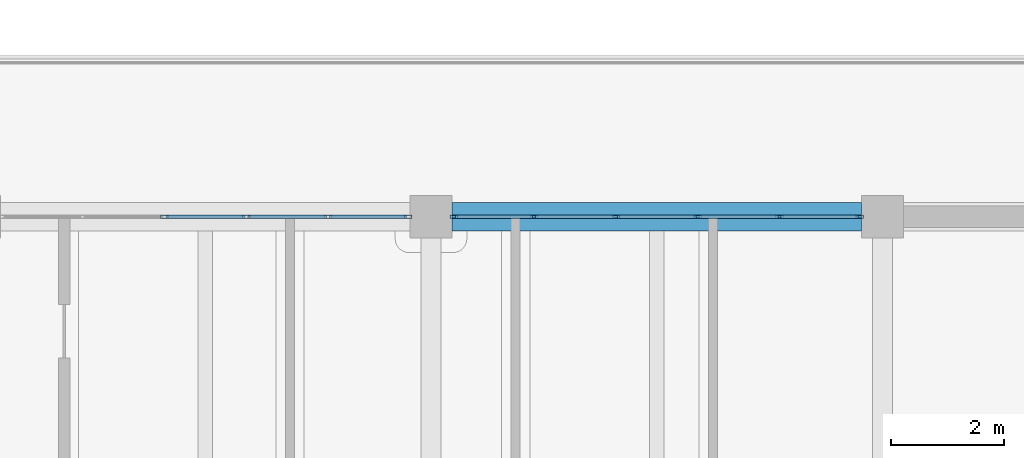
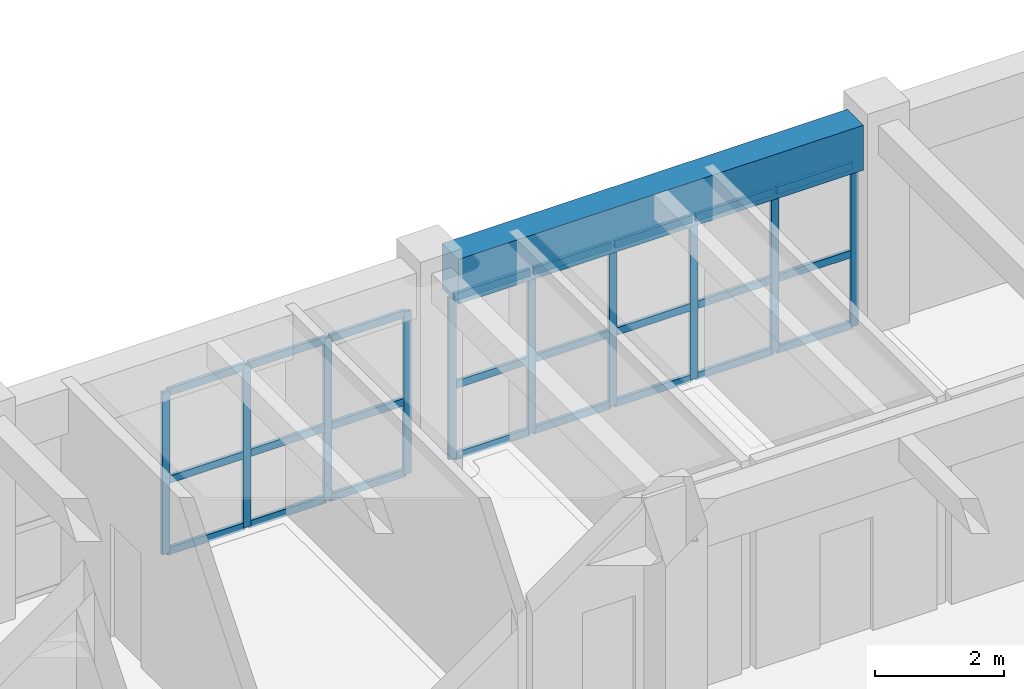
# One storey, part 25 of 63: 34 members, 1 beam, 2 elements without a shape of their own.
"""IFC4 building model written with IfcOpenShell, lengths in metres."""

from ifc_helpers import new_model, si_unit, direction, frame, origin, origin_2d, place, context, subcontext, project, spatial, rectangle, hollow_rectangle, extrude, material, material_profile, profile_set, type_object, element, aggregate, save


model = new_model("IFC4")

# Units and contexts
model_context = context("Model", 3, precision=1e-05, world=origin(), true_north=direction((0.0, 1.0)))
body_context = subcontext(model_context, "Body", "Model", "MODEL_VIEW")
ifc_project = project(units=[si_unit("LENGTHUNIT", "METRE"), si_unit("AREAUNIT", "SQUARE_METRE"), si_unit("VOLUMEUNIT", "CUBIC_METRE"), si_unit("PLANEANGLEUNIT", "RADIAN"), si_unit("MASSUNIT", "GRAM", prefix="KILO")], contexts=[model_context])

# Site, building, storey
site_placement = place(None, origin())
site = spatial("IfcSite", under=ifc_project, at=site_placement, CompositionType="ELEMENT")
building_placement = place(site_placement, origin())
building = spatial("IfcBuilding", under=site, at=building_placement, Name="Zantavel Square City Hall", CompositionType="ELEMENT")
storey_placement = place(building_placement, frame((0.0, 0.0, 14.699951171875)))
storey = spatial("IfcBuildingStorey", under=building, at=storey_placement, Name="L04", CompositionType="ELEMENT", Elevation=14.699951171875)

# Curtain wall, members
ifc_material_1 = material(Name="Anodised aluminium 6063-T6", Category="aluminium")
curtain_wall_type = type_object("IfcCurtainWallType", Name="Curtain Wall TRV1 7250x3070", PredefinedType="USERDEFINED", material=ifc_material_1)
curtain_wall_1_placement = place(storey_placement, origin())
curtain_wall_1 = element("IfcCurtainWall", 1, at=curtain_wall_1_placement, inside=storey, type_object=curtain_wall_type, Name="L04 Glazed Curtain Wall CW-L04-108", ObjectType="GLAZED CURTAIN WALL", PredefinedType="USERDEFINED")
ifc_material_profile_1 = material_profile(ifc_material_1, hollow_rectangle(XDim=0.06005859375, YDim=0.135009765625, WallThickness=0.00390625, at=origin_2d()), Name="ALU 60x135x4")
ifc_profile_set_1 = profile_set([ifc_material_profile_1], Name="Anodised aluminium 6063-T6")
member_type_1 = type_object("IfcMemberType", Name="CW Mullion ALU 60x135x4", PredefinedType="MULLION", material=ifc_profile_set_1)
member_1_placement = place(storey_placement, frame((75.27490234375, 68.39990234375, 0.0), z_axis=(0.0, 0.0, 1.0), x_axis=(0.0, 1.0, 0.0)))
member_1 = element("IfcMember", 2, at=member_1_placement, type_object=member_type_1, Name="CW-108 mullion 3", PredefinedType="MULLION", context=body_context, shape_type="SweptSolid", body=[
    extrude(hollow_rectangle(XDim=0.06005859375, YDim=0.135009765625, WallThickness=0.00390625, at=origin_2d()), origin(), (0.0, 0.0, 1.0), 3.070068359375),
])
member_2_placement = place(storey_placement, frame((76.72509765625, 68.39990234375, 0.0), z_axis=(0.0, 0.0, 1.0), x_axis=(0.0, 1.0, 0.0)))
member_2 = element("IfcMember", 3, at=member_2_placement, type_object=member_type_1, Name="CW-108 mullion 4", PredefinedType="MULLION", context=body_context, shape_type="SweptSolid", body=[
    extrude(hollow_rectangle(XDim=0.06005859375, YDim=0.135009765625, WallThickness=0.00390625, at=origin_2d()), origin(), (0.0, 0.0, 1.0), 3.070068359375),
])
member_3_placement = place(storey_placement, frame((78.175048828125, 68.39990234375, 0.0), z_axis=(0.0, 0.0, 1.0), x_axis=(0.0, 1.0, 0.0)))
member_3 = element("IfcMember", 4, at=member_3_placement, type_object=member_type_1, Name="CW-108 mullion 5", PredefinedType="MULLION", context=body_context, shape_type="SweptSolid", body=[
    extrude(hollow_rectangle(XDim=0.06005859375, YDim=0.135009765625, WallThickness=0.00390625, at=origin_2d()), origin(), (0.0, 0.0, 1.0), 3.070068359375),
])
member_4_placement = place(storey_placement, frame((79.594970703125, 68.39990234375, 0.0), z_axis=(0.0, 0.0, 1.0), x_axis=(0.0, 1.0, 0.0)))
member_4 = element("IfcMember", 5, at=member_4_placement, type_object=member_type_1, Name="CW-108 mullion 6", PredefinedType="MULLION", context=body_context, shape_type="SweptSolid", body=[
    extrude(hollow_rectangle(XDim=0.06005859375, YDim=0.135009765625, WallThickness=0.00390625, at=origin_2d()), origin(), (0.0, 0.0, 1.0), 3.070068359375),
])

curtain_wall_2_placement = place(storey_placement, origin())
curtain_wall_2 = element("IfcCurtainWall", 6, at=curtain_wall_2_placement, inside=storey, type_object=curtain_wall_type, Name="L04 Glazed Curtain Wall CW-L04-109", ObjectType="GLAZED CURTAIN WALL", PredefinedType="USERDEFINED")
member_5_placement = place(storey_placement, frame((80.405029296875, 68.39990234375, 0.0), z_axis=(0.0, 0.0, 1.0), x_axis=(0.0, 1.0, 0.0)))
member_5 = element("IfcMember", 7, at=member_5_placement, type_object=member_type_1, Name="CW-109 mullion 1", PredefinedType="MULLION", context=body_context, shape_type="SweptSolid", body=[
    extrude(hollow_rectangle(XDim=0.06005859375, YDim=0.135009765625, WallThickness=0.00390625, at=origin_2d()), origin(), (0.0, 0.0, 1.0), 3.070068359375),
])
member_6_placement = place(storey_placement, frame((81.824951171875, 68.39990234375, 0.0), z_axis=(0.0, 0.0, 1.0), x_axis=(0.0, 1.0, 0.0)))
member_6 = element("IfcMember", 8, at=member_6_placement, type_object=member_type_1, Name="CW-109 mullion 2", PredefinedType="MULLION", context=body_context, shape_type="SweptSolid", body=[
    extrude(hollow_rectangle(XDim=0.06005859375, YDim=0.135009765625, WallThickness=0.00390625, at=origin_2d()), origin(), (0.0, 0.0, 1.0), 3.070068359375),
])
member_7_placement = place(storey_placement, frame((83.27490234375, 68.39990234375, 0.0), z_axis=(0.0, 0.0, 1.0), x_axis=(0.0, 1.0, 0.0)))
member_7 = element("IfcMember", 9, at=member_7_placement, type_object=member_type_1, Name="CW-109 mullion 3", PredefinedType="MULLION", context=body_context, shape_type="SweptSolid", body=[
    extrude(hollow_rectangle(XDim=0.06005859375, YDim=0.135009765625, WallThickness=0.00390625, at=origin_2d()), origin(), (0.0, 0.0, 1.0), 3.070068359375),
])
member_8_placement = place(storey_placement, frame((84.72509765625, 68.39990234375, 0.0), z_axis=(0.0, 0.0, 1.0), x_axis=(0.0, 1.0, 0.0)))
member_8 = element("IfcMember", 10, at=member_8_placement, type_object=member_type_1, Name="CW-109 mullion 4", PredefinedType="MULLION", context=body_context, shape_type="SweptSolid", body=[
    extrude(hollow_rectangle(XDim=0.06005859375, YDim=0.135009765625, WallThickness=0.00390625, at=origin_2d()), origin(), (0.0, 0.0, 1.0), 3.070068359375),
])
member_9_placement = place(storey_placement, frame((86.175048828125, 68.39990234375, 0.0), z_axis=(0.0, 0.0, 1.0), x_axis=(0.0, 1.0, 0.0)))
member_9 = element("IfcMember", 11, at=member_9_placement, type_object=member_type_1, Name="CW-109 mullion 5", PredefinedType="MULLION", context=body_context, shape_type="SweptSolid", body=[
    extrude(hollow_rectangle(XDim=0.06005859375, YDim=0.135009765625, WallThickness=0.00390625, at=origin_2d()), origin(), (0.0, 0.0, 1.0), 3.070068359375),
])
member_10_placement = place(storey_placement, frame((87.594970703125, 68.39990234375, 0.0), z_axis=(0.0, 0.0, 1.0), x_axis=(0.0, 1.0, 0.0)))
member_10 = element("IfcMember", 12, at=member_10_placement, type_object=member_type_1, Name="CW-109 mullion 6", PredefinedType="MULLION", context=body_context, shape_type="SweptSolid", body=[
    extrude(hollow_rectangle(XDim=0.06005859375, YDim=0.135009765625, WallThickness=0.00390625, at=origin_2d()), origin(), (0.0, 0.0, 1.0), 3.070068359375),
])

# Member
ifc_material_profile_2 = material_profile(ifc_material_1, hollow_rectangle(XDim=0.06005859375, YDim=0.139892578125, WallThickness=0.00390625, at=origin_2d()), Name="ALU 60x140x4")
ifc_profile_set_2 = profile_set([ifc_material_profile_2], Name="Anodised aluminium 6063-T6")
member_type_2 = type_object("IfcMemberType", Name="CW Transom ALU 60x140x4", PredefinedType="USERDEFINED", material=ifc_profile_set_2)
member_11_placement = place(storey_placement, frame((75.304931640625, 68.39990234375, 0.030029296875), z_axis=(1.0, 0.0, 0.0), x_axis=(0.0, 1.0, 0.0)))
member_11 = element("IfcMember", 13, at=member_11_placement, type_object=member_type_2, Name="CW-108 transom 3.1", ObjectType="TRANSOM", PredefinedType="USERDEFINED", context=body_context, shape_type="SweptSolid", body=[
    extrude(hollow_rectangle(XDim=0.06005859375, YDim=0.139892578125, WallThickness=0.00390625, at=origin_2d()), origin(), (0.0, 0.0, 1.0), 1.39013671875),
])

member_12_placement = place(storey_placement, frame((75.304931640625, 68.39990234375, 1.381103515625), z_axis=(1.0, 0.0, 0.0), x_axis=(0.0, 1.0, 0.0)))
member_12 = element("IfcMember", 14, at=member_12_placement, type_object=member_type_2, Name="CW-108 transom 3.2", ObjectType="TRANSOM", PredefinedType="USERDEFINED", context=body_context, shape_type="SweptSolid", body=[
    extrude(hollow_rectangle(XDim=0.06005859375, YDim=0.139892578125, WallThickness=0.00390625, at=origin_2d()), origin(), (0.0, 0.0, 1.0), 1.39013671875),
])

member_13_placement = place(storey_placement, frame((75.304931640625, 68.39990234375, 3.0400390625), z_axis=(1.0, 0.0, 0.0), x_axis=(0.0, 1.0, 0.0)))
member_13 = element("IfcMember", 15, at=member_13_placement, type_object=member_type_2, Name="CW-108 transom 3.3", ObjectType="TRANSOM", PredefinedType="USERDEFINED", context=body_context, shape_type="SweptSolid", body=[
    extrude(hollow_rectangle(XDim=0.06005859375, YDim=0.139892578125, WallThickness=0.00390625, at=origin_2d()), origin(), (0.0, 0.0, 1.0), 1.39013671875),
])

member_14_placement = place(storey_placement, frame((76.7548828125, 68.39990234375, 0.030029296875), z_axis=(1.0, 0.0, 0.0), x_axis=(0.0, 1.0, 0.0)))
member_14 = element("IfcMember", 16, at=member_14_placement, type_object=member_type_2, Name="CW-108 transom 4.1", ObjectType="TRANSOM", PredefinedType="USERDEFINED", context=body_context, shape_type="SweptSolid", body=[
    extrude(hollow_rectangle(XDim=0.06005859375, YDim=0.139892578125, WallThickness=0.00390625, at=origin_2d()), origin(), (0.0, 0.0, 1.0), 1.39013671875),
])

member_15_placement = place(storey_placement, frame((76.7548828125, 68.39990234375, 1.381103515625), z_axis=(1.0, 0.0, 0.0), x_axis=(0.0, 1.0, 0.0)))
member_15 = element("IfcMember", 17, at=member_15_placement, type_object=member_type_2, Name="CW-108 transom 4.2", ObjectType="TRANSOM", PredefinedType="USERDEFINED", context=body_context, shape_type="SweptSolid", body=[
    extrude(hollow_rectangle(XDim=0.06005859375, YDim=0.139892578125, WallThickness=0.00390625, at=origin_2d()), origin(), (0.0, 0.0, 1.0), 1.39013671875),
])

member_16_placement = place(storey_placement, frame((76.7548828125, 68.39990234375, 3.0400390625), z_axis=(1.0, 0.0, 0.0), x_axis=(0.0, 1.0, 0.0)))
member_16 = element("IfcMember", 18, at=member_16_placement, type_object=member_type_2, Name="CW-108 transom 4.3", ObjectType="TRANSOM", PredefinedType="USERDEFINED", context=body_context, shape_type="SweptSolid", body=[
    extrude(hollow_rectangle(XDim=0.06005859375, YDim=0.139892578125, WallThickness=0.00390625, at=origin_2d()), origin(), (0.0, 0.0, 1.0), 1.39013671875),
])

member_17_placement = place(storey_placement, frame((78.205078125, 68.39990234375, 0.030029296875), z_axis=(1.0, 0.0, 0.0), x_axis=(0.0, 1.0, 0.0)))
member_17 = element("IfcMember", 19, at=member_17_placement, type_object=member_type_2, Name="CW-108 transom 5.1", ObjectType="TRANSOM", PredefinedType="USERDEFINED", context=body_context, shape_type="SweptSolid", body=[
    extrude(hollow_rectangle(XDim=0.06005859375, YDim=0.139892578125, WallThickness=0.00390625, at=origin_2d()), origin(), (0.0, 0.0, 1.0), 1.35986328125),
])

member_18_placement = place(storey_placement, frame((78.205078125, 68.39990234375, 1.381103515625), z_axis=(1.0, 0.0, 0.0), x_axis=(0.0, 1.0, 0.0)))
member_18 = element("IfcMember", 20, at=member_18_placement, type_object=member_type_2, Name="CW-108 transom 5.2", ObjectType="TRANSOM", PredefinedType="USERDEFINED", context=body_context, shape_type="SweptSolid", body=[
    extrude(hollow_rectangle(XDim=0.06005859375, YDim=0.139892578125, WallThickness=0.00390625, at=origin_2d()), origin(), (0.0, 0.0, 1.0), 1.35986328125),
])

member_19_placement = place(storey_placement, frame((78.205078125, 68.39990234375, 3.0400390625), z_axis=(1.0, 0.0, 0.0), x_axis=(0.0, 1.0, 0.0)))
member_19 = element("IfcMember", 21, at=member_19_placement, type_object=member_type_2, Name="CW-108 transom 5.3", ObjectType="TRANSOM", PredefinedType="USERDEFINED", context=body_context, shape_type="SweptSolid", body=[
    extrude(hollow_rectangle(XDim=0.06005859375, YDim=0.139892578125, WallThickness=0.00390625, at=origin_2d()), origin(), (0.0, 0.0, 1.0), 1.35986328125),
])

aggregate(curtain_wall_1, [member_1, member_2, member_3, member_4, member_11, member_12, member_13, member_14, member_15, member_16, member_17, member_18, member_19])

member_20_placement = place(storey_placement, frame((80.43505859375, 68.39990234375, 0.030029296875), z_axis=(1.0, 0.0, 0.0), x_axis=(0.0, 1.0, 0.0)))
member_20 = element("IfcMember", 22, at=member_20_placement, type_object=member_type_2, Name="CW-109 transom 1.1", ObjectType="TRANSOM", PredefinedType="USERDEFINED", context=body_context, shape_type="SweptSolid", body=[
    extrude(hollow_rectangle(XDim=0.06005859375, YDim=0.139892578125, WallThickness=0.00390625, at=origin_2d()), origin(), (0.0, 0.0, 1.0), 1.35986328125),
])

member_21_placement = place(storey_placement, frame((80.43505859375, 68.39990234375, 1.381103515625), z_axis=(1.0, 0.0, 0.0), x_axis=(0.0, 1.0, 0.0)))
member_21 = element("IfcMember", 23, at=member_21_placement, type_object=member_type_2, Name="CW-109 transom 1.2", ObjectType="TRANSOM", PredefinedType="USERDEFINED", context=body_context, shape_type="SweptSolid", body=[
    extrude(hollow_rectangle(XDim=0.06005859375, YDim=0.139892578125, WallThickness=0.00390625, at=origin_2d()), origin(), (0.0, 0.0, 1.0), 1.35986328125),
])

member_22_placement = place(storey_placement, frame((80.43505859375, 68.39990234375, 3.0400390625), z_axis=(1.0, 0.0, 0.0), x_axis=(0.0, 1.0, 0.0)))
member_22 = element("IfcMember", 24, at=member_22_placement, type_object=member_type_2, Name="CW-109 transom 1.3", ObjectType="TRANSOM", PredefinedType="USERDEFINED", context=body_context, shape_type="SweptSolid", body=[
    extrude(hollow_rectangle(XDim=0.06005859375, YDim=0.139892578125, WallThickness=0.00390625, at=origin_2d()), origin(), (0.0, 0.0, 1.0), 1.35986328125),
])

member_23_placement = place(storey_placement, frame((81.85498046875, 68.39990234375, 0.030029296875), z_axis=(1.0, 0.0, 0.0), x_axis=(0.0, 1.0, 0.0)))
member_23 = element("IfcMember", 25, at=member_23_placement, type_object=member_type_2, Name="CW-109 transom 2.1", ObjectType="TRANSOM", PredefinedType="USERDEFINED", context=body_context, shape_type="SweptSolid", body=[
    extrude(hollow_rectangle(XDim=0.06005859375, YDim=0.139892578125, WallThickness=0.00390625, at=origin_2d()), origin(), (0.0, 0.0, 1.0), 1.39013671875),
])

member_24_placement = place(storey_placement, frame((81.85498046875, 68.39990234375, 1.381103515625), z_axis=(1.0, 0.0, 0.0), x_axis=(0.0, 1.0, 0.0)))
member_24 = element("IfcMember", 26, at=member_24_placement, type_object=member_type_2, Name="CW-109 transom 2.2", ObjectType="TRANSOM", PredefinedType="USERDEFINED", context=body_context, shape_type="SweptSolid", body=[
    extrude(hollow_rectangle(XDim=0.06005859375, YDim=0.139892578125, WallThickness=0.00390625, at=origin_2d()), origin(), (0.0, 0.0, 1.0), 1.39013671875),
])

member_25_placement = place(storey_placement, frame((81.85498046875, 68.39990234375, 3.0400390625), z_axis=(1.0, 0.0, 0.0), x_axis=(0.0, 1.0, 0.0)))
member_25 = element("IfcMember", 27, at=member_25_placement, type_object=member_type_2, Name="CW-109 transom 2.3", ObjectType="TRANSOM", PredefinedType="USERDEFINED", context=body_context, shape_type="SweptSolid", body=[
    extrude(hollow_rectangle(XDim=0.06005859375, YDim=0.139892578125, WallThickness=0.00390625, at=origin_2d()), origin(), (0.0, 0.0, 1.0), 1.39013671875),
])

member_26_placement = place(storey_placement, frame((83.304931640625, 68.39990234375, 0.030029296875), z_axis=(1.0, 0.0, 0.0), x_axis=(0.0, 1.0, 0.0)))
member_26 = element("IfcMember", 28, at=member_26_placement, type_object=member_type_2, Name="CW-109 transom 3.1", ObjectType="TRANSOM", PredefinedType="USERDEFINED", context=body_context, shape_type="SweptSolid", body=[
    extrude(hollow_rectangle(XDim=0.06005859375, YDim=0.139892578125, WallThickness=0.00390625, at=origin_2d()), origin(), (0.0, 0.0, 1.0), 1.39013671875),
])

member_27_placement = place(storey_placement, frame((83.304931640625, 68.39990234375, 1.381103515625), z_axis=(1.0, 0.0, 0.0), x_axis=(0.0, 1.0, 0.0)))
member_27 = element("IfcMember", 29, at=member_27_placement, type_object=member_type_2, Name="CW-109 transom 3.2", ObjectType="TRANSOM", PredefinedType="USERDEFINED", context=body_context, shape_type="SweptSolid", body=[
    extrude(hollow_rectangle(XDim=0.06005859375, YDim=0.139892578125, WallThickness=0.00390625, at=origin_2d()), origin(), (0.0, 0.0, 1.0), 1.39013671875),
])

member_28_placement = place(storey_placement, frame((83.304931640625, 68.39990234375, 3.0400390625), z_axis=(1.0, 0.0, 0.0), x_axis=(0.0, 1.0, 0.0)))
member_28 = element("IfcMember", 30, at=member_28_placement, type_object=member_type_2, Name="CW-109 transom 3.3", ObjectType="TRANSOM", PredefinedType="USERDEFINED", context=body_context, shape_type="SweptSolid", body=[
    extrude(hollow_rectangle(XDim=0.06005859375, YDim=0.139892578125, WallThickness=0.00390625, at=origin_2d()), origin(), (0.0, 0.0, 1.0), 1.39013671875),
])

member_29_placement = place(storey_placement, frame((84.7548828125, 68.39990234375, 0.030029296875), z_axis=(1.0, 0.0, 0.0), x_axis=(0.0, 1.0, 0.0)))
member_29 = element("IfcMember", 31, at=member_29_placement, type_object=member_type_2, Name="CW-109 transom 4.1", ObjectType="TRANSOM", PredefinedType="USERDEFINED", context=body_context, shape_type="SweptSolid", body=[
    extrude(hollow_rectangle(XDim=0.06005859375, YDim=0.139892578125, WallThickness=0.00390625, at=origin_2d()), origin(), (0.0, 0.0, 1.0), 1.39013671875),
])

member_30_placement = place(storey_placement, frame((84.7548828125, 68.39990234375, 1.381103515625), z_axis=(1.0, 0.0, 0.0), x_axis=(0.0, 1.0, 0.0)))
member_30 = element("IfcMember", 32, at=member_30_placement, type_object=member_type_2, Name="CW-109 transom 4.2", ObjectType="TRANSOM", PredefinedType="USERDEFINED", context=body_context, shape_type="SweptSolid", body=[
    extrude(hollow_rectangle(XDim=0.06005859375, YDim=0.139892578125, WallThickness=0.00390625, at=origin_2d()), origin(), (0.0, 0.0, 1.0), 1.39013671875),
])

member_31_placement = place(storey_placement, frame((84.7548828125, 68.39990234375, 3.0400390625), z_axis=(1.0, 0.0, 0.0), x_axis=(0.0, 1.0, 0.0)))
member_31 = element("IfcMember", 33, at=member_31_placement, type_object=member_type_2, Name="CW-109 transom 4.3", ObjectType="TRANSOM", PredefinedType="USERDEFINED", context=body_context, shape_type="SweptSolid", body=[
    extrude(hollow_rectangle(XDim=0.06005859375, YDim=0.139892578125, WallThickness=0.00390625, at=origin_2d()), origin(), (0.0, 0.0, 1.0), 1.39013671875),
])

member_32_placement = place(storey_placement, frame((86.205078125, 68.39990234375, 0.030029296875), z_axis=(1.0, 0.0, 0.0), x_axis=(0.0, 1.0, 0.0)))
member_32 = element("IfcMember", 34, at=member_32_placement, type_object=member_type_2, Name="CW-109 transom 5.1", ObjectType="TRANSOM", PredefinedType="USERDEFINED", context=body_context, shape_type="SweptSolid", body=[
    extrude(hollow_rectangle(XDim=0.06005859375, YDim=0.139892578125, WallThickness=0.00390625, at=origin_2d()), origin(), (0.0, 0.0, 1.0), 1.35986328125),
])

member_33_placement = place(storey_placement, frame((86.205078125, 68.39990234375, 1.381103515625), z_axis=(1.0, 0.0, 0.0), x_axis=(0.0, 1.0, 0.0)))
member_33 = element("IfcMember", 35, at=member_33_placement, type_object=member_type_2, Name="CW-109 transom 5.2", ObjectType="TRANSOM", PredefinedType="USERDEFINED", context=body_context, shape_type="SweptSolid", body=[
    extrude(hollow_rectangle(XDim=0.06005859375, YDim=0.139892578125, WallThickness=0.00390625, at=origin_2d()), origin(), (0.0, 0.0, 1.0), 1.35986328125),
])

member_34_placement = place(storey_placement, frame((86.205078125, 68.39990234375, 3.0400390625), z_axis=(1.0, 0.0, 0.0), x_axis=(0.0, 1.0, 0.0)))
member_34 = element("IfcMember", 36, at=member_34_placement, type_object=member_type_2, Name="CW-109 transom 5.3", ObjectType="TRANSOM", PredefinedType="USERDEFINED", context=body_context, shape_type="SweptSolid", body=[
    extrude(hollow_rectangle(XDim=0.06005859375, YDim=0.139892578125, WallThickness=0.00390625, at=origin_2d()), origin(), (0.0, 0.0, 1.0), 1.35986328125),
])

aggregate(curtain_wall_2, [member_5, member_6, member_7, member_8, member_9, member_10, member_20, member_21, member_22, member_23, member_24, member_25, member_26, member_27, member_28, member_29, member_30, member_31, member_32, member_33, member_34])

# Beam
ifc_material_2 = material(Name="Concrete C40/50", Category="concrete")
ifc_material_profile_3 = material_profile(ifc_material_2, rectangle(XDim=0.5, YDim=0.85009765625, at=origin_2d()), Name="RC 500x850")
ifc_profile_set_3 = profile_set([ifc_material_profile_3], Name="Concrete C40/50")
beam_type = type_object("IfcBeamType", Name="Council Chamber Girder RC 500x850 C40/50", PredefinedType="BEAM", material=ifc_profile_set_3)
beam_placement = place(storey_placement, frame((80.375, 68.39990234375, 3.4951171875), z_axis=(1.0, 0.0, 0.0), x_axis=(0.0, 1.0, 0.0)))
element("IfcBeam", 37, at=beam_placement, inside=storey, type_object=beam_type, Name="L04 Girder BMX-L04-0800-0684", PredefinedType="BEAM", context=body_context, shape_type="SweptSolid", body=[
    extrude(rectangle(XDim=0.5, YDim=0.85009765625, at=origin_2d()), origin(), (0.0, 0.0, 1.0), 7.25),
])

save(model, "model.ifc")
